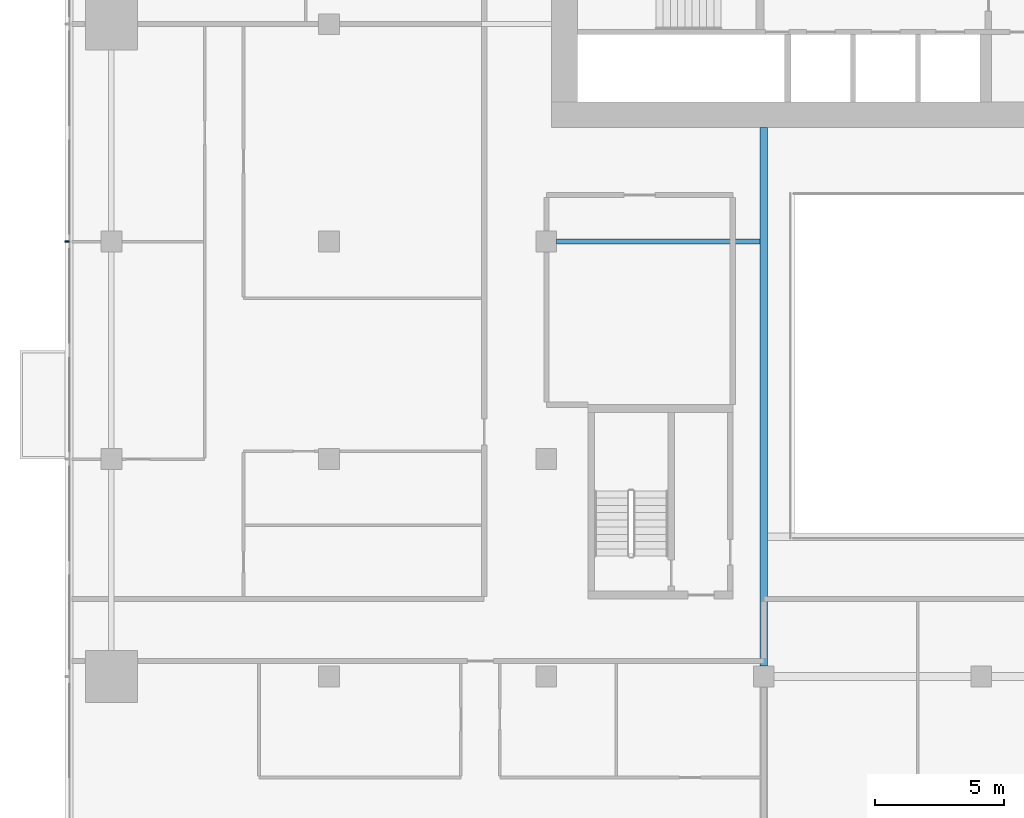
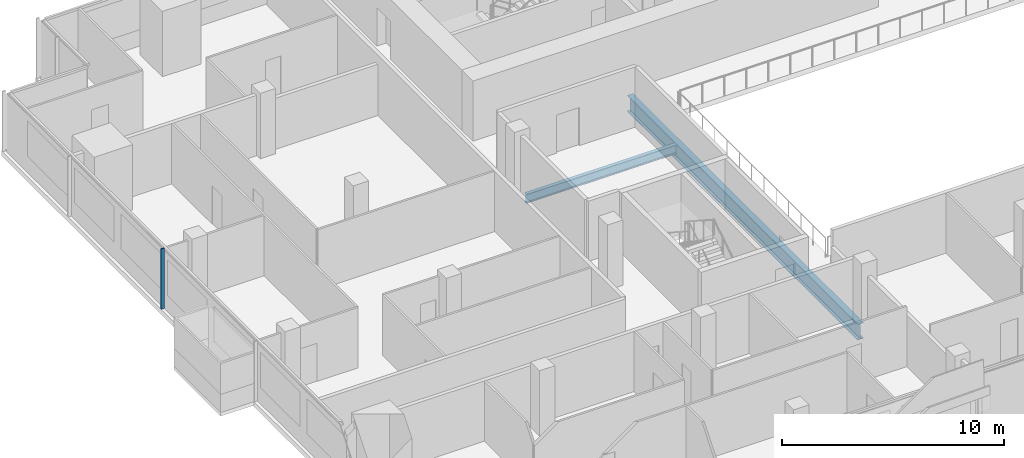
# One storey, part 4 of 29: 2 beams, 1 member, 1 element without a shape of its own.
"""IFC4 building model written with IfcOpenShell, lengths in metres."""

from ifc_helpers import new_model, si_unit, direction, frame, origin, origin_2d, place, context, subcontext, project, spatial, rectangle, i_section, extrude, material, material_profile, profile_set, type_object, element, aggregate, save


model = new_model("IFC4")

# Units and contexts
model_context = context("Model", 3, precision=1e-05, world=origin(), true_north=direction((0.0, 1.0)))
body_context = subcontext(model_context, "Body", "Model", "MODEL_VIEW")
ifc_project = project(units=[si_unit("LENGTHUNIT", "METRE"), si_unit("AREAUNIT", "SQUARE_METRE"), si_unit("VOLUMEUNIT", "CUBIC_METRE"), si_unit("PLANEANGLEUNIT", "RADIAN"), si_unit("MASSUNIT", "GRAM", prefix="KILO")], contexts=[model_context])

# Site, building, storey
site_placement = place(None, origin())
site = spatial("IfcSite", under=ifc_project, at=site_placement, CompositionType="ELEMENT")
building_placement = place(site_placement, origin())
building = spatial("IfcBuilding", under=site, at=building_placement, Name="Saffron Gate Tower", CompositionType="ELEMENT")
storey_placement = place(building_placement, frame((0.0, 0.0, 116.85009765625)))
storey = spatial("IfcBuildingStorey", under=building, at=storey_placement, Name="L27", CompositionType="ELEMENT", Elevation=116.85009765625)

# Beams
ifc_material_1 = material(Name="Structural steel S355", Category="steel")
ifc_material_profile_1 = material_profile(ifc_material_1, i_section(OverallWidth=0.199951171875, OverallDepth=0.5, WebThickness=0.01025390625, FlangeThickness=0.01611328125, FilletRadius=0.02099609375, at=origin_2d()))
ifc_profile_set_1 = profile_set([ifc_material_profile_1], Name="Structural steel S355")
beam_type_1 = type_object("IfcBeamType", Name="B10 IPE 500", PredefinedType="BEAM", material=ifc_profile_set_1)
beam_1_placement = place(storey_placement, frame((67.0, 57.0, -0.530029296875), z_axis=(1.0, 0.0, 0.0), x_axis=(0.0, 1.0, 0.0)))
element("IfcBeam", 1, at=beam_1_placement, inside=storey, type_object=beam_type_1, Name="B10 CORE TIE BEAM", PredefinedType="BEAM", context=body_context, shape_type="SweptSolid", body=[
    extrude(i_section(OverallWidth=0.199951171875, OverallDepth=0.5, WebThickness=0.01025390625, FlangeThickness=0.01611328125, FilletRadius=0.02099609375, at=origin_2d()), origin(), (0.0, 0.0, 1.0), 7.85009765625),
])
ifc_material_profile_2 = material_profile(ifc_material_1, i_section(OverallWidth=0.300048828125, OverallDepth=0.889892578125, WebThickness=0.01611328125, FlangeThickness=0.030029296875, FilletRadius=0.030029296875, at=origin_2d()))
ifc_profile_set_2 = profile_set([ifc_material_profile_2], Name="Structural steel S355")
beam_type_2 = type_object("IfcBeamType", Name="B19 HEA 900", PredefinedType="BEAM", material=ifc_profile_set_2)
beam_2_placement = place(storey_placement, frame((75.0, 40.60009765625, -0.72509765625), z_axis=(0.0, 1.0, 0.0), x_axis=(-1.0, 0.0, 0.0)))
element("IfcBeam", 2, at=beam_2_placement, inside=storey, type_object=beam_type_2, Name="B19 ATRIUM GIRDER", PredefinedType="BEAM", context=body_context, shape_type="SweptSolid", body=[
    extrude(i_section(OverallWidth=0.300048828125, OverallDepth=0.889892578125, WebThickness=0.01611328125, FlangeThickness=0.030029296875, FilletRadius=0.030029296875, at=origin_2d()), origin(), (0.0, 0.0, 1.0), 20.7998046875),
])

# Curtain wall, member
ifc_material_2 = material(Name="Aluminium, bronze anodised", Category="aluminium")
curtain_wall_type = type_object("IfcCurtainWallType", Name="CWS2 curtain wall side facades", PredefinedType="NOTDEFINED", material=ifc_material_2)
curtain_wall_placement = place(storey_placement, origin())
curtain_wall = element("IfcCurtainWall", 3, at=curtain_wall_placement, inside=storey, type_object=curtain_wall_type, Name="CWS2 run 10", PredefinedType="NOTDEFINED")
ifc_material_profile_3 = material_profile(ifc_material_2, rectangle(XDim=0.159912109375, YDim=0.06005859375, at=origin_2d()))
ifc_profile_set_3 = profile_set([ifc_material_profile_3], Name="Aluminium, bronze anodised")
member_type = type_object("IfcMemberType", Name="CWS2 mullion 60x160", PredefinedType="MULLION", material=ifc_profile_set_3)
member_placement = place(storey_placement, frame((48.080078125, 57.0, 0.0), z_axis=(0.0, 0.0, 1.0), x_axis=(1.0, 0.0, 0.0)))
member = element("IfcMember", 4, at=member_placement, type_object=member_type, Name="CWS2 mullion 3", PredefinedType="MULLION", context=body_context, shape_type="SweptSolid", body=[
    extrude(rectangle(XDim=0.159912109375, YDim=0.06005859375, at=origin_2d()), origin(), (0.0, 0.0, 1.0), 3.31982421875),
])
aggregate(curtain_wall, [member])

save(model, "model.ifc")
